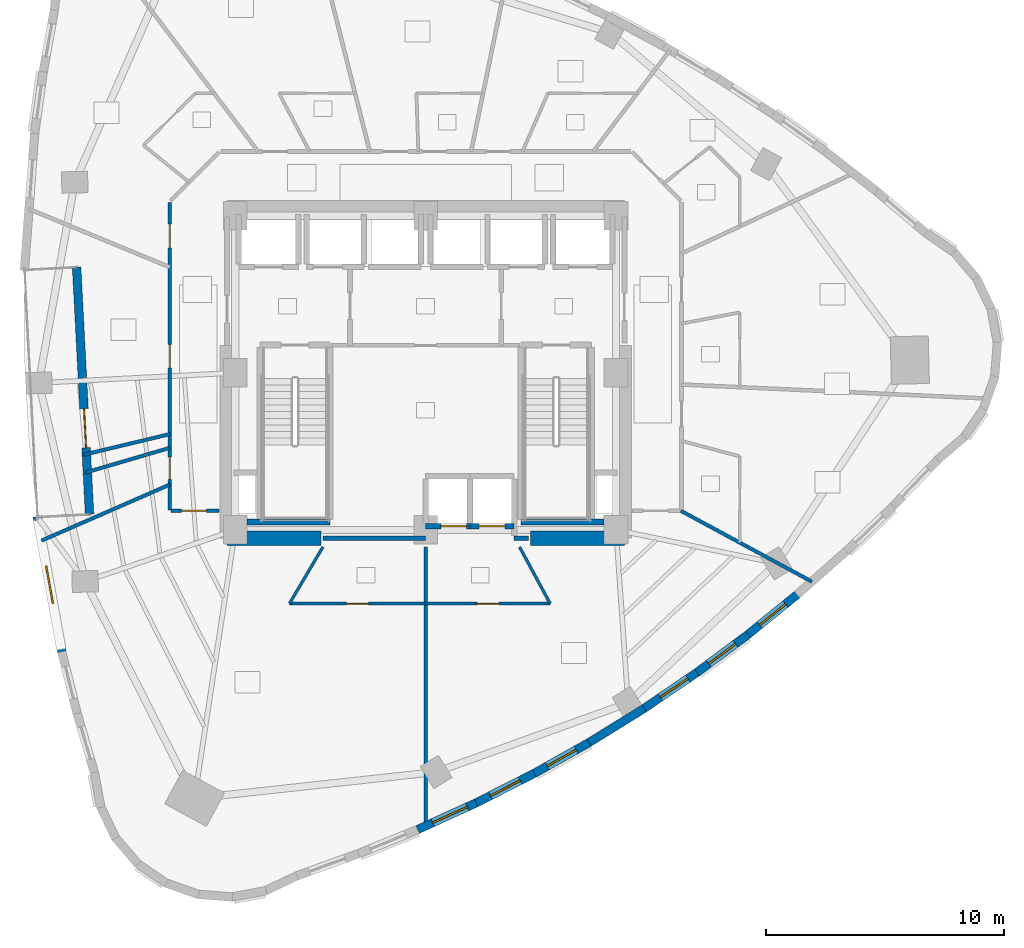
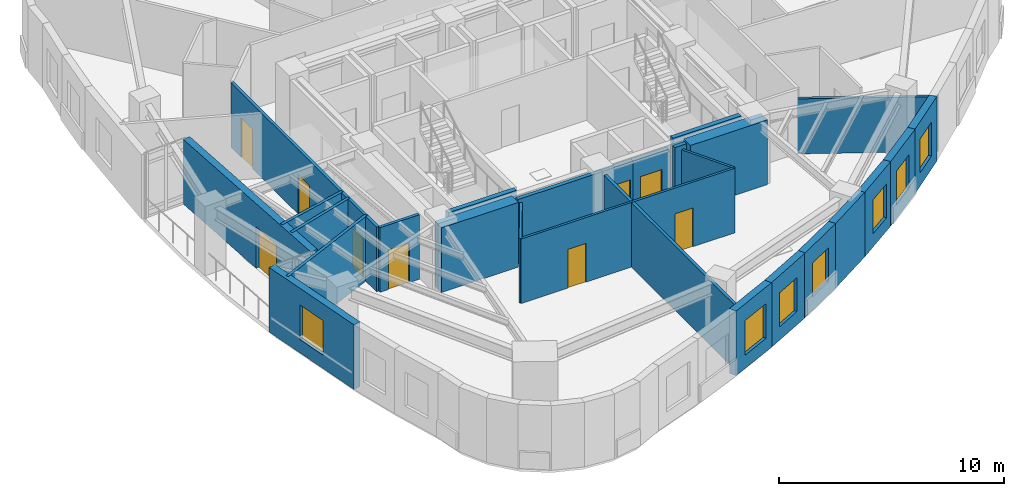
# One storey, part 5 of 12: 28 walls, 9 doors, 7 windows, 16 openings.
"""IFC4 building model written with IfcOpenShell, lengths in metres."""

from ifc_helpers import new_model, si_unit, direction, frame, frame_2d, origin, place, context, subcontext, project, spatial, rectangle, extrude, material, layer, layer_set, type_object, element, fill, save


model = new_model("IFC4")

# Units and contexts
model_context = context("Model", 3, precision=1e-05, world=origin(), true_north=direction((0.0, 1.0)))
body_context = subcontext(model_context, "Body", "Model", "MODEL_VIEW")
ifc_project = project(units=[si_unit("LENGTHUNIT", "METRE"), si_unit("AREAUNIT", "SQUARE_METRE"), si_unit("VOLUMEUNIT", "CUBIC_METRE"), si_unit("PLANEANGLEUNIT", "RADIAN"), si_unit("MASSUNIT", "GRAM", prefix="KILO")], contexts=[model_context])

# Site, building, storey
site_placement = place(None, origin())
site = spatial("IfcSite", under=ifc_project, at=site_placement, CompositionType="ELEMENT")
building_placement = place(site_placement, origin())
building = spatial("IfcBuilding", under=site, at=building_placement, Name="Ndelora Gate Hotel", CompositionType="ELEMENT")
storey_placement = place(building_placement, frame((0.0, 0.0, 131.0)))
storey = spatial("IfcBuildingStorey", under=building, at=storey_placement, Name="L32", CompositionType="ELEMENT", Elevation=131.0)

# Wall, opening, door
ifc_material_1 = material(Name="Clay Brick Masonry", Category="masonry")
ifc_layer_1 = layer(ifc_material_1, 0.360107421875)
ifc_layer_set_1 = layer_set([ifc_layer_1], Name="Clay Brick Masonry")
wall_type_1 = type_object("IfcWallType", Name="WL-BRICK-360", PredefinedType="SOLIDWALL", material=ifc_layer_set_1)
wall_1_placement = place(storey_placement, frame((-14.123779296875, -5.947265625, 0.0), z_axis=(0.0, 0.0, 1.0), x_axis=(-0.052325961458, 0.998630058509, 0.0)))
wall_1 = element("IfcWall", 1, at=wall_1_placement, inside=storey, type_object=wall_type_1, Name="L32 Sky-Garden Loggia Rear Brick Wall", PredefinedType="SOLIDWALL", context=body_context, shape_type="SweptSolid", body=[
    extrude(rectangle(XDim=10.39990234375, YDim=0.360107421875, at=frame_2d((5.199951171875, 0.0))), origin(), (0.0, 0.0, 1.0), 3.5),
])
opening_1_placement = place(wall_1_placement, frame((2.800048828125, 0.0, 0.0)))
opening_1 = element("IfcOpeningElement", 2, at=opening_1_placement, cuts=wall_1, Name="Opening TD1", PredefinedType="OPENING", context=body_context, shape_type="SweptSolid", body=[
    extrude(rectangle(XDim=1.64990234375, YDim=2.25, at=frame_2d((0.824951171875, 1.125))), frame((0.0, 0.18994140625, 0.0), z_axis=(0.0, -1.0, 0.0), x_axis=(1.0, 0.0, 0.0)), (0.0, 0.0, 1.0), 0.380126953125),
])
ifc_material_2 = material(Name="Architectural Bronze Glazed Door", Category="metal")
door_type_1 = type_object("IfcDoorType", Name="DR-TER-1650", OperationType="DOUBLE_DOOR_SINGLE_SWING", PredefinedType="DOOR", material=ifc_material_2)
door_1_placement = place(opening_1_placement, origin())
door_1 = element("IfcDoor", 3, at=door_1_placement, inside=storey, type_object=door_type_1, Name="L32 Sky-Garden Terrace Double Door TD1", OperationType="DOUBLE_DOOR_SINGLE_SWING", OverallHeight=2.25, OverallWidth=1.64990234375, PredefinedType="DOOR", context=body_context, shape_type="SweptSolid", body=[
    extrude(rectangle(XDim=1.64990234375, YDim=2.25, at=frame_2d((0.824951171875, 1.125))), frame((0.0, 0.02490234375, 0.0), z_axis=(0.0, -1.0, 0.0), x_axis=(1.0, 0.0, 0.0)), (0.0, 0.0, 1.0), 0.050048828125),
])
fill(opening_1, door_1)

# Wall, opening, window
wall_2_placement = place(storey_placement, frame((-15.283935546875, -11.77099609375, 0.0), z_axis=(0.0, 0.0, 1.0), x_axis=(-0.178697394158, 0.983904081362, 0.0)))
wall_2 = element("IfcWall", 4, at=wall_2_placement, inside=storey, type_object=wall_type_1, Name="L32 Tower Brick Pier-and-Spandrel Wall TWR-16", PredefinedType="SOLIDWALL", context=body_context, shape_type="SweptSolid", body=[
    extrude(rectangle(XDim=5.826904296875, YDim=0.360107421875, at=frame_2d((2.91357421875, 0.0))), origin(), (0.0, 0.0, 1.0), 3.5),
])
opening_2_placement = place(wall_2_placement, frame((2.11328125, 0.0, 0.719970703125)))
opening_2 = element("IfcOpeningElement", 5, at=opening_2_placement, cuts=wall_2, Name="Opening W01", PredefinedType="OPENING", context=body_context, shape_type="SweptSolid", body=[
    extrude(rectangle(XDim=1.60009765625, YDim=1.8798828125, at=frame_2d((0.800048828125, 0.93994140625))), frame((0.0, 0.18994140625, 0.0), z_axis=(0.0, -1.0, 0.0), x_axis=(1.0, 0.0, 0.0)), (0.0, 0.0, 1.0), 0.380126953125),
])
ifc_material_3 = material(Name="Insulated Low-E Double Glazing in Bronze Aluminium Frame", Category="aluminium")
window_type_1 = type_object("IfcWindowType", Name="WN-DEEP-1600", PartitioningType="SINGLE_PANEL", PredefinedType="WINDOW", material=ifc_material_3)
window_1_placement = place(opening_2_placement, origin())
window_1 = element("IfcWindow", 6, at=window_1_placement, inside=storey, type_object=window_type_1, Name="L32 Deep-Set Brick-Pier Window W01", OverallHeight=1.8798828125, OverallWidth=1.60009765625, PartitioningType="SINGLE_PANEL", PredefinedType="WINDOW", context=body_context, shape_type="SweptSolid", body=[
    extrude(rectangle(XDim=1.60009765625, YDim=1.8798828125, at=frame_2d((0.800048828125, 0.93994140625))), frame((0.0, 0.030029296875, 0.0), z_axis=(0.0, -1.0, 0.0), x_axis=(1.0, 0.0, 0.0)), (0.0, 0.0, 1.0), 0.06005859375),
])
fill(opening_2, window_1)

wall_3_placement = place(storey_placement, frame((2.169677734375, -18.052001953125, 0.0), z_axis=(0.0, 0.0, 1.0), x_axis=(-0.909692365211, -0.415282796028, 0.0)))
wall_3 = element("IfcWall", 7, at=wall_3_placement, inside=storey, type_object=wall_type_1, Name="L32 Tower Brick Pier-and-Spandrel Wall TWR-29", PredefinedType="SOLIDWALL", context=body_context, shape_type="SweptSolid", body=[
    extrude(rectangle(XDim=2.75830078125, YDim=0.360107421875, at=frame_2d((1.379150390625, 0.0))), origin(), (0.0, 0.0, 1.0), 3.5),
])
opening_3_placement = place(wall_3_placement, frame((0.4599609375, 0.0, 0.719970703125)))
opening_3 = element("IfcOpeningElement", 8, at=opening_3_placement, cuts=wall_3, Name="Opening W03", PredefinedType="OPENING", context=body_context, shape_type="SweptSolid", body=[
    extrude(rectangle(XDim=1.60009765625, YDim=1.8798828125, at=frame_2d((0.800048828125, 0.93994140625))), frame((0.0, 0.18994140625, 0.0), z_axis=(0.0, -1.0, 0.0), x_axis=(1.0, 0.0, 0.0)), (0.0, 0.0, 1.0), 0.380126953125),
])
window_type_2 = type_object("IfcWindowType", Name="WN-CORN-2100", PartitioningType="SINGLE_PANEL", PredefinedType="WINDOW", material=ifc_material_3)
window_2_placement = place(opening_3_placement, origin())
window_2 = element("IfcWindow", 9, at=window_2_placement, inside=storey, type_object=window_type_2, Name="L32 Deep-Set Brick-Pier Window W03", OverallHeight=1.8798828125, OverallWidth=1.60009765625, PartitioningType="SINGLE_PANEL", PredefinedType="WINDOW", context=body_context, shape_type="SweptSolid", body=[
    extrude(rectangle(XDim=1.60009765625, YDim=1.8798828125, at=frame_2d((0.800048828125, 0.93994140625))), frame((0.0, 0.030029296875, 0.0), z_axis=(0.0, -1.0, 0.0), x_axis=(1.0, 0.0, 0.0)), (0.0, 0.0, 1.0), 0.06005859375),
])
fill(opening_3, window_2)

wall_4_placement = place(storey_placement, frame((4.571044921875, -16.830810546875, 0.0), z_axis=(0.0, 0.0, 1.0), x_axis=(-0.891561759687, -0.452899137406, 0.0)))
wall_4 = element("IfcWall", 10, at=wall_4_placement, inside=storey, type_object=wall_type_1, Name="L32 Tower Brick Pier-and-Spandrel Wall TWR-30", PredefinedType="SOLIDWALL", context=body_context, shape_type="SweptSolid", body=[
    extrude(rectangle(XDim=2.743896484375, YDim=0.360107421875, at=frame_2d((1.3720703125, 0.0))), origin(), (0.0, 0.0, 1.0), 3.5),
])
opening_4_placement = place(wall_4_placement, frame((0.672119140625, 0.0, 0.719970703125)))
opening_4 = element("IfcOpeningElement", 11, at=opening_4_placement, cuts=wall_4, Name="Opening W02", PredefinedType="OPENING", context=body_context, shape_type="SweptSolid", body=[
    extrude(rectangle(XDim=1.39990234375, YDim=1.840087890625, at=frame_2d((0.699951171875, 0.919921875))), frame((0.0, 0.18994140625, 0.0), z_axis=(0.0, -1.0, 0.0), x_axis=(1.0, 0.0, 0.0)), (0.0, 0.0, 1.0), 0.380126953125),
])
window_type_3 = type_object("IfcWindowType", Name="WN-DEEP-1400", PartitioningType="SINGLE_PANEL", PredefinedType="WINDOW", material=ifc_material_3)
window_3_placement = place(opening_4_placement, origin())
window_3 = element("IfcWindow", 12, at=window_3_placement, inside=storey, type_object=window_type_3, Name="L32 Deep-Set Brick-Pier Window W02", OverallHeight=1.840087890625, OverallWidth=1.39990234375, PartitioningType="SINGLE_PANEL", PredefinedType="WINDOW", context=body_context, shape_type="SweptSolid", body=[
    extrude(rectangle(XDim=1.39990234375, YDim=1.840087890625, at=frame_2d((0.699951171875, 0.919921875))), frame((0.0, 0.030029296875, 0.0), z_axis=(0.0, -1.0, 0.0), x_axis=(1.0, 0.0, 0.0)), (0.0, 0.0, 1.0), 0.06005859375),
])
fill(opening_4, window_3)

wall_5_placement = place(storey_placement, frame((6.910400390625, -15.513916015625, 0.0), z_axis=(0.0, 0.0, 1.0), x_axis=(-0.871580305906, -0.490252761702, 0.0)))
wall_5 = element("IfcWall", 13, at=wall_5_placement, inside=storey, type_object=wall_type_1, Name="L32 Tower Brick Pier-and-Spandrel Wall TWR-31", PredefinedType="SOLIDWALL", context=body_context, shape_type="SweptSolid", body=[
    extrude(rectangle(XDim=2.734375, YDim=0.360107421875, at=frame_2d((1.3671875, 0.0))), origin(), (0.0, 0.0, 1.0), 3.5),
])
opening_5_placement = place(wall_5_placement, frame((0.667236328125, 0.0, 0.719970703125)))
opening_5 = element("IfcOpeningElement", 14, at=opening_5_placement, cuts=wall_5, Name="Opening W02", PredefinedType="OPENING", context=body_context, shape_type="SweptSolid", body=[
    extrude(rectangle(XDim=1.39990234375, YDim=1.840087890625, at=frame_2d((0.699951171875, 0.919921875))), frame((0.0, 0.18994140625, 0.0), z_axis=(0.0, -1.0, 0.0), x_axis=(1.0, 0.0, 0.0)), (0.0, 0.0, 1.0), 0.380126953125),
])
window_4_placement = place(opening_5_placement, origin())
window_4 = element("IfcWindow", 15, at=window_4_placement, inside=storey, type_object=window_type_3, Name="L32 Deep-Set Brick-Pier Window W02", OverallHeight=1.840087890625, OverallWidth=1.39990234375, PartitioningType="SINGLE_PANEL", PredefinedType="WINDOW", context=body_context, shape_type="SweptSolid", body=[
    extrude(rectangle(XDim=1.39990234375, YDim=1.840087890625, at=frame_2d((0.699951171875, 0.919921875))), frame((0.0, 0.030029296875, 0.0), z_axis=(0.0, -1.0, 0.0), x_axis=(1.0, 0.0, 0.0)), (0.0, 0.0, 1.0), 0.06005859375),
])
fill(opening_5, window_4)

# Wall
wall_6_placement = place(storey_placement, frame((9.187744140625, -14.101806640625, 0.0), z_axis=(0.0, 0.0, 1.0), x_axis=(-0.850066866235, -0.526674779091, 0.0)))
element("IfcWall", 16, at=wall_6_placement, inside=storey, type_object=wall_type_1, Name="L32 Tower Brick Pier-and-Spandrel Wall TWR-32", PredefinedType="SOLIDWALL", context=body_context, shape_type="SweptSolid", body=[
    extrude(rectangle(XDim=2.729736328125, YDim=0.360107421875, at=frame_2d((1.36474609375, 0.0))), origin(), (0.0, 0.0, 1.0), 3.5),
])

# Wall, opening, window
wall_7_placement = place(storey_placement, frame((11.40283203125, -12.593994140625, 0.0), z_axis=(0.0, 0.0, 1.0), x_axis=(-0.826868273885, -0.562395641557, 0.0)))
wall_7 = element("IfcWall", 17, at=wall_7_placement, inside=storey, type_object=wall_type_1, Name="L32 Tower Brick Pier-and-Spandrel Wall TWR-33", PredefinedType="SOLIDWALL", context=body_context, shape_type="SweptSolid", body=[
    extrude(rectangle(XDim=2.729736328125, YDim=0.360107421875, at=frame_2d((1.36474609375, 0.0))), origin(), (0.0, 0.0, 1.0), 3.5),
])
opening_6_placement = place(wall_7_placement, frame((0.4599609375, 0.0, 0.719970703125)))
opening_6 = element("IfcOpeningElement", 18, at=opening_6_placement, cuts=wall_7, Name="Opening W02", PredefinedType="OPENING", context=body_context, shape_type="SweptSolid", body=[
    extrude(rectangle(XDim=1.39990234375, YDim=1.840087890625, at=frame_2d((0.699951171875, 0.919921875))), frame((0.0, 0.18994140625, 0.0), z_axis=(0.0, -1.0, 0.0), x_axis=(1.0, 0.0, 0.0)), (0.0, 0.0, 1.0), 0.380126953125),
])
window_5_placement = place(opening_6_placement, origin())
window_5 = element("IfcWindow", 19, at=window_5_placement, inside=storey, type_object=window_type_3, Name="L32 Deep-Set Brick-Pier Window W02", OverallHeight=1.840087890625, OverallWidth=1.39990234375, PartitioningType="SINGLE_PANEL", PredefinedType="WINDOW", context=body_context, shape_type="SweptSolid", body=[
    extrude(rectangle(XDim=1.39990234375, YDim=1.840087890625, at=frame_2d((0.699951171875, 0.919921875))), frame((0.0, 0.030029296875, 0.0), z_axis=(0.0, -1.0, 0.0), x_axis=(1.0, 0.0, 0.0)), (0.0, 0.0, 1.0), 0.06005859375),
])
fill(opening_6, window_5)

wall_8_placement = place(storey_placement, frame((13.555908203125, -10.990966796875, 0.0), z_axis=(0.0, 0.0, 1.0), x_axis=(-0.802329676415, -0.596881135859, 0.0)))
wall_8 = element("IfcWall", 20, at=wall_8_placement, inside=storey, type_object=wall_type_1, Name="L32 Tower Brick Pier-and-Spandrel Wall TWR-34", PredefinedType="SOLIDWALL", context=body_context, shape_type="SweptSolid", body=[
    extrude(rectangle(XDim=2.734375, YDim=0.360107421875, at=frame_2d((1.3671875, 0.0))), origin(), (0.0, 0.0, 1.0), 3.5),
])
opening_7_placement = place(wall_8_placement, frame((0.667236328125, 0.0, 0.719970703125)))
opening_7 = element("IfcOpeningElement", 21, at=opening_7_placement, cuts=wall_8, Name="Opening W02", PredefinedType="OPENING", context=body_context, shape_type="SweptSolid", body=[
    extrude(rectangle(XDim=1.39990234375, YDim=1.840087890625, at=frame_2d((0.699951171875, 0.919921875))), frame((0.0, 0.18994140625, 0.0), z_axis=(0.0, -1.0, 0.0), x_axis=(1.0, 0.0, 0.0)), (0.0, 0.0, 1.0), 0.380126953125),
])
window_6_placement = place(opening_7_placement, origin())
window_6 = element("IfcWindow", 22, at=window_6_placement, inside=storey, type_object=window_type_3, Name="L32 Deep-Set Brick-Pier Window W02", OverallHeight=1.840087890625, OverallWidth=1.39990234375, PartitioningType="SINGLE_PANEL", PredefinedType="WINDOW", context=body_context, shape_type="SweptSolid", body=[
    extrude(rectangle(XDim=1.39990234375, YDim=1.840087890625, at=frame_2d((0.699951171875, 0.919921875))), frame((0.0, 0.030029296875, 0.0), z_axis=(0.0, -1.0, 0.0), x_axis=(1.0, 0.0, 0.0)), (0.0, 0.0, 1.0), 0.06005859375),
])
fill(opening_7, window_6)

wall_9_placement = place(storey_placement, frame((15.64697265625, -9.292236328125, 0.0), z_axis=(0.0, 0.0, 1.0), x_axis=(-0.776448630517, -0.630180548866, 0.0)))
wall_9 = element("IfcWall", 23, at=wall_9_placement, inside=storey, type_object=wall_type_1, Name="L32 Tower Brick Pier-and-Spandrel Wall TWR-35", PredefinedType="SOLIDWALL", context=body_context, shape_type="SweptSolid", body=[
    extrude(rectangle(XDim=2.744140625, YDim=0.360107421875, at=frame_2d((1.3720703125, 0.0))), origin(), (0.0, 0.0, 1.0), 3.5),
])
opening_8_placement = place(wall_9_placement, frame((0.672119140625, 0.0, 0.719970703125)))
opening_8 = element("IfcOpeningElement", 24, at=opening_8_placement, cuts=wall_9, Name="Opening W02", PredefinedType="OPENING", context=body_context, shape_type="SweptSolid", body=[
    extrude(rectangle(XDim=1.39990234375, YDim=1.840087890625, at=frame_2d((0.699951171875, 0.919921875))), frame((0.0, 0.18994140625, 0.0), z_axis=(0.0, -1.0, 0.0), x_axis=(1.0, 0.0, 0.0)), (0.0, 0.0, 1.0), 0.380126953125),
])
window_7_placement = place(opening_8_placement, origin())
window_7 = element("IfcWindow", 25, at=window_7_placement, inside=storey, type_object=window_type_3, Name="L32 Deep-Set Brick-Pier Window W02", OverallHeight=1.840087890625, OverallWidth=1.39990234375, PartitioningType="SINGLE_PANEL", PredefinedType="WINDOW", context=body_context, shape_type="SweptSolid", body=[
    extrude(rectangle(XDim=1.39990234375, YDim=1.840087890625, at=frame_2d((0.699951171875, 0.919921875))), frame((0.0, 0.030029296875, 0.0), z_axis=(0.0, -1.0, 0.0), x_axis=(1.0, 0.0, 0.0)), (0.0, 0.0, 1.0), 0.06005859375),
])
fill(opening_8, window_7)

# Walls
ifc_material_4 = material(Name="Concrete C60/75", Category="concrete")
ifc_layer_2 = layer(ifc_material_4, 0.60009765625)
ifc_layer_set_2 = layer_set([ifc_layer_2], Name="Concrete C60/75")
wall_type_2 = type_object("IfcWallType", Name="WL-CORE-600", PredefinedType="SHEAR", material=ifc_layer_set_2)
for number, where, z_axis, x_axis, name in (
    (26, (-8.35009765625, -6.949951171875, 0.0), (0.0, 0.0, 1.0), (1.0, 0.0, 0.0), "L32 Core Shear Wall S-W"),
    (27, (4.39990234375, -6.949951171875, 0.0), (0.0, 0.0, 1.0), (1.0, 0.0, 0.0), "L32 Core Shear Wall S-E"),
):
    element("IfcWall", number, at=place(storey_placement, frame(where, z_axis=z_axis, x_axis=x_axis)), inside=storey, type_object=wall_type_2, Name=name, PredefinedType="SHEAR", context=body_context, shape_type="SweptSolid", body=[
        extrude(rectangle(XDim=3.9501953125, YDim=0.60009765625, at=frame_2d((1.97509765625, 0.0))), origin(), (0.0, 0.0, 1.0), 3.5),
    ])
ifc_material_5 = material(Name="Concrete C40/50", Category="concrete")
ifc_layer_3 = layer(ifc_material_5, 0.199951171875)
ifc_layer_set_3 = layer_set([ifc_layer_3], Name="Concrete C40/50")
wall_type_3 = type_object("IfcWallType", Name="WL-FIRE-200", PredefinedType="PARTITIONING", material=ifc_layer_set_3)
wall_10_placement = place(storey_placement, frame((-4.320068359375, -6.949951171875, 0.0), z_axis=(0.0, 0.0, 1.0), x_axis=(1.0, 0.0, 0.0)))
element("IfcWall", 28, at=wall_10_placement, inside=storey, type_object=wall_type_3, Name="L32 Interior Wall IW-2", PredefinedType="PARTITIONING", context=body_context, shape_type="SweptSolid", body=[
    extrude(rectangle(XDim=4.320068359375, YDim=0.199951171875, at=frame_2d((2.16015625, 0.0))), origin(), (0.0, 0.0, 1.0), 3.5),
])
wall_11_placement = place(storey_placement, frame((3.719970703125, -6.949951171875, 0.0), z_axis=(0.0, 0.0, 1.0), x_axis=(1.0, 0.0, 0.0)))
element("IfcWall", 29, at=wall_11_placement, inside=storey, type_object=wall_type_3, Name="L32 Interior Wall IW-2", PredefinedType="PARTITIONING", context=body_context, shape_type="SweptSolid", body=[
    extrude(rectangle(XDim=0.60009765625, YDim=0.199951171875, at=frame_2d((0.300048828125, 0.0))), origin(), (0.0, 0.0, 1.0), 3.5),
])

# Wall, opening, door
ifc_material_6 = material(Name="Fire-Rated Gypsum Stud Partition", Category="gypsum")
ifc_layer_4 = layer(ifc_material_6, 0.14990234375)
ifc_layer_set_4 = layer_set([ifc_layer_4], Name="Fire-Rated Gypsum Stud Partition")
wall_type_4 = type_object("IfcWallType", Name="WL-PART-150", PredefinedType="PARTITIONING", material=ifc_layer_set_4)
wall_12_placement = place(storey_placement, frame((-8.68994140625, -5.800048828125, 0.0), z_axis=(0.0, 0.0, 1.0), x_axis=(-1.0, 0.0, 0.0)))
wall_12 = element("IfcWall", 30, at=wall_12_placement, inside=storey, type_object=wall_type_4, Name="L32 Interior Wall IW-5", PredefinedType="PARTITIONING", context=body_context, shape_type="SweptSolid", body=[
    extrude(rectangle(XDim=2.02001953125, YDim=0.14990234375, at=frame_2d((1.010009765625, 0.0))), origin(), (0.0, 0.0, 1.0), 3.5),
])
opening_9_placement = place(wall_12_placement, frame((0.52001953125, 0.0, 0.0)))
opening_9 = element("IfcOpeningElement", 31, at=opening_9_placement, cuts=wall_12, Name="Opening D07", PredefinedType="OPENING", context=body_context, shape_type="SweptSolid", body=[
    extrude(rectangle(XDim=1.06005859375, YDim=2.14990234375, at=frame_2d((0.530029296875, 1.074951171875))), frame((0.0, 0.0849609375, 0.0), z_axis=(0.0, -1.0, 0.0), x_axis=(1.0, 0.0, 0.0)), (0.0, 0.0, 1.0), 0.169921875),
])
ifc_material_7 = material(Name="Diplomatic Suite Acoustic Entrance Door", Category="wood")
door_type_2 = type_object("IfcDoorType", Name="DR-SUITE-1060", OperationType="SINGLE_SWING_LEFT", PredefinedType="DOOR", material=ifc_material_7)
door_2_placement = place(opening_9_placement, origin())
door_2 = element("IfcDoor", 32, at=door_2_placement, inside=storey, type_object=door_type_2, Name="L32 Club Twin Corner Suite 3501 Entrance Door", OperationType="SINGLE_SWING_RIGHT", OverallHeight=2.14990234375, OverallWidth=1.06005859375, PredefinedType="DOOR", context=body_context, shape_type="SweptSolid", body=[
    extrude(rectangle(XDim=1.06005859375, YDim=2.14990234375, at=frame_2d((0.530029296875, 1.074951171875))), frame((0.0, 0.02490234375, 0.0), z_axis=(0.0, -1.0, 0.0), x_axis=(1.0, 0.0, 0.0)), (0.0, 0.0, 1.0), 0.050048828125),
])
fill(opening_9, door_2)

# Wall, openings, doors
wall_13_placement = place(storey_placement, frame((-10.75, -5.760009765625, 0.0), z_axis=(0.0, 0.0, 1.0), x_axis=(0.0, 1.0, 0.0)))
wall_13 = element("IfcWall", 33, at=wall_13_placement, inside=storey, type_object=wall_type_4, Name="L32 Interior Wall IW-5", PredefinedType="PARTITIONING", context=body_context, shape_type="SweptSolid", body=[
    extrude(rectangle(XDim=12.919921875, YDim=0.14990234375, at=frame_2d((6.4599609375, 0.0))), origin(), (0.0, 0.0, 1.0), 3.5),
])
opening_10_placement = place(wall_13_placement, frame((1.280029296875, 0.0, 0.0)))
opening_10 = element("IfcOpeningElement", 34, at=opening_10_placement, cuts=wall_13, Name="Opening D05", PredefinedType="OPENING", context=body_context, shape_type="SweptSolid", body=[
    extrude(rectangle(XDim=0.949951171875, YDim=2.10009765625, at=frame_2d((0.47509765625, 1.050048828125))), frame((0.0, 0.0849609375, 0.0), z_axis=(0.0, -1.0, 0.0), x_axis=(1.0, 0.0, 0.0)), (0.0, 0.0, 1.0), 0.169921875),
])
opening_11_placement = place(wall_13_placement, frame((5.95556640625, 0.0, 0.0)))
opening_11 = element("IfcOpeningElement", 35, at=opening_11_placement, cuts=wall_13, Name="Opening D01", PredefinedType="OPENING", context=body_context, shape_type="SweptSolid", body=[
    extrude(rectangle(XDim=1.0, YDim=2.14990234375, at=frame_2d((0.5, 1.074951171875))), frame((0.0, 0.0849609375, 0.0), z_axis=(0.0, -1.0, 0.0), x_axis=(1.0, 0.0, 0.0)), (0.0, 0.0, 1.0), 0.169921875),
])
opening_12_placement = place(wall_13_placement, frame((11.0087890625, 0.0, 0.0)))
opening_12 = element("IfcOpeningElement", 36, at=opening_12_placement, cuts=wall_13, Name="Opening D01", PredefinedType="OPENING", context=body_context, shape_type="SweptSolid", body=[
    extrude(rectangle(XDim=1.0, YDim=2.14990234375, at=frame_2d((0.5, 1.074951171875))), frame((0.0, 0.0849609375, 0.0), z_axis=(0.0, -1.0, 0.0), x_axis=(1.0, 0.0, 0.0)), (0.0, 0.0, 1.0), 0.169921875),
])
ifc_material_8 = material(Name="Accessible Restroom Wide-Clearance Door", Category="wood")
door_type_3 = type_object("IfcDoorType", Name="DR-ACC-950", OperationType="SINGLE_SWING_LEFT", PredefinedType="DOOR", material=ifc_material_8)
door_3_placement = place(opening_10_placement, origin())
door_3 = element("IfcDoor", 37, at=door_3_placement, inside=storey, type_object=door_type_3, Name="L32 Accessible WC Entrance Door", OperationType="SINGLE_SWING_RIGHT", OverallHeight=2.10009765625, OverallWidth=0.949951171875, PredefinedType="DOOR", context=body_context, shape_type="SweptSolid", body=[
    extrude(rectangle(XDim=0.949951171875, YDim=2.10009765625, at=frame_2d((0.47509765625, 1.050048828125))), frame((0.0, 0.02490234375, 0.0), z_axis=(0.0, -1.0, 0.0), x_axis=(1.0, 0.0, 0.0)), (0.0, 0.0, 1.0), 0.050048828125),
])
fill(opening_10, door_3)
ifc_material_9 = material(Name="Acoustic Hardwood Guest Entrance Door", Category="wood")
door_type_4 = type_object("IfcDoorType", Name="DR-COR-1000", OperationType="SINGLE_SWING_LEFT", PredefinedType="DOOR", material=ifc_material_9)
door_4_placement = place(opening_11_placement, origin())
door_4 = element("IfcDoor", 38, at=door_4_placement, inside=storey, type_object=door_type_4, Name="L32 Sky Garden Tea Dining Room Entrance Door", OperationType="SINGLE_SWING_LEFT", OverallHeight=2.14990234375, OverallWidth=1.0, PredefinedType="DOOR", context=body_context, shape_type="SweptSolid", body=[
    extrude(rectangle(XDim=1.0, YDim=2.14990234375, at=frame_2d((0.5, 1.074951171875))), frame((0.0, 0.02490234375, 0.0), z_axis=(0.0, -1.0, 0.0), x_axis=(1.0, 0.0, 0.0)), (0.0, 0.0, 1.0), 0.050048828125),
])
fill(opening_11, door_4)
door_5_placement = place(opening_12_placement, origin())
door_5 = element("IfcDoor", 39, at=door_5_placement, inside=storey, type_object=door_type_4, Name="L32 Club Deluxe Guest Room 3509 Entrance Door", OperationType="SINGLE_SWING_RIGHT", OverallHeight=2.14990234375, OverallWidth=1.0, PredefinedType="DOOR", context=body_context, shape_type="SweptSolid", body=[
    extrude(rectangle(XDim=1.0, YDim=2.14990234375, at=frame_2d((0.5, 1.074951171875))), frame((0.0, 0.02490234375, 0.0), z_axis=(0.0, -1.0, 0.0), x_axis=(1.0, 0.0, 0.0)), (0.0, 0.0, 1.0), 0.050048828125),
])
fill(opening_12, door_5)

# Walls
wall_14_placement = place(storey_placement, frame((-10.75, -4.696533203125, 0.0), z_axis=(0.0, 0.0, 1.0), x_axis=(-0.916368645406, -0.400335491452, 0.0)))
element("IfcWall", 40, at=wall_14_placement, inside=storey, type_object=wall_type_4, Name="L32 Interior Wall IW-5", PredefinedType="PARTITIONING", context=body_context, shape_type="SweptSolid", body=[
    extrude(rectangle(XDim=5.883056640625, YDim=0.14990234375, at=frame_2d((2.94140625, 0.0))), origin(), (0.0, 0.0, 1.0), 3.5),
])
wall_15_placement = place(storey_placement, frame((0.0, -7.320068359375, 0.0), z_axis=(0.0, 0.0, 1.0), x_axis=(0.0, -1.0, 0.0)))
element("IfcWall", 41, at=wall_15_placement, inside=storey, type_object=wall_type_4, Name="L32 Interior Wall IW-5", PredefinedType="PARTITIONING", context=body_context, shape_type="SweptSolid", body=[
    extrude(rectangle(XDim=11.722412109375, YDim=0.14990234375, at=frame_2d((5.861328125, 0.0))), origin(), (0.0, 0.0, 1.0), 3.5),
])
wall_16_placement = place(storey_placement, frame((10.726806640625, -5.800048828125, 0.0), z_axis=(0.0, 0.0, 1.0), x_axis=(0.879646503143, -0.475628036924, 0.0)))
element("IfcWall", 42, at=wall_16_placement, inside=storey, type_object=wall_type_4, Name="L32 Interior Wall IW-5", PredefinedType="PARTITIONING", context=body_context, shape_type="SweptSolid", body=[
    extrude(rectangle(XDim=6.256103515625, YDim=0.14990234375, at=frame_2d((3.1279296875, 0.0))), origin(), (0.0, 0.0, 1.0), 2.97998046875),
])
wall_17_placement = place(storey_placement, frame((-10.75, -3.15283203125, 0.0), z_axis=(0.0, 0.0, 1.0), x_axis=(-0.959579233132, -0.281438617362, 0.0)))
element("IfcWall", 43, at=wall_17_placement, inside=storey, type_object=wall_type_4, Name="L32 Interior Wall IW-5", PredefinedType="PARTITIONING", context=body_context, shape_type="SweptSolid", body=[
    extrude(rectangle(XDim=3.687744140625, YDim=0.14990234375, at=frame_2d((1.84375, 0.0))), origin(), (0.0, 0.0, 1.0), 3.5),
])
wall_18_placement = place(storey_placement, frame((-10.75, -2.575439453125, 0.0), z_axis=(0.0, 0.0, 1.0), x_axis=(-0.972472035097, -0.233019614958, 0.0)))
element("IfcWall", 44, at=wall_18_placement, inside=storey, type_object=wall_type_4, Name="L32 Interior Wall IW-5", PredefinedType="PARTITIONING", context=body_context, shape_type="SweptSolid", body=[
    extrude(rectangle(XDim=3.7109375, YDim=0.14990234375, at=frame_2d((1.85546875, 0.0))), origin(), (0.0, 0.0, 1.0), 3.5),
])

# Wall, opening, door
ifc_layer_5 = layer(ifc_material_5, 0.219970703125)
ifc_layer_set_5 = layer_set([ifc_layer_5], Name="Concrete C40/50")
wall_type_5 = type_object("IfcWallType", Name="WL-SHAFT-220", PredefinedType="PARTITIONING", material=ifc_layer_set_5)
wall_19_placement = place(storey_placement, frame((0.0, -6.449951171875, 0.0), z_axis=(0.0, 0.0, 1.0), x_axis=(1.0, 0.0, 0.0)))
wall_19 = element("IfcWall", 45, at=wall_19_placement, inside=storey, type_object=wall_type_5, Name="L32 Interior Wall IW-1", PredefinedType="PARTITIONING", context=body_context, shape_type="SweptSolid", body=[
    extrude(rectangle(XDim=1.860107421875, YDim=0.219970703125, at=frame_2d((0.93017578125, 0.0))), origin(), (0.0, 0.0, 1.0), 3.1201171875),
])
opening_13_placement = place(wall_19_placement, frame((0.639892578125, 0.0, 0.0)))
opening_13 = element("IfcOpeningElement", 46, at=opening_13_placement, cuts=wall_19, Name="Opening LD2", PredefinedType="OPENING", context=body_context, shape_type="SweptSolid", body=[
    extrude(rectangle(XDim=1.080078125, YDim=2.14990234375, at=frame_2d((0.5400390625, 1.074951171875))), frame((0.0, 0.1201171875, 0.0), z_axis=(0.0, -1.0, 0.0), x_axis=(1.0, 0.0, 0.0)), (0.0, 0.0, 1.0), 0.239990234375),
])
ifc_material_10 = material(Name="Brushed Bronze Stainless Lift Landing Door", Category="metal")
door_type_5 = type_object("IfcDoorType", Name="DR-LD2", OperationType="DOUBLE_DOOR_SLIDING", PredefinedType="DOOR", material=ifc_material_10)
door_6_placement = place(opening_13_placement, origin())
door_6 = element("IfcDoor", 47, at=door_6_placement, inside=storey, type_object=door_type_5, Name="L32 Lift Landing Sliding Door P2A", OperationType="DOUBLE_DOOR_SLIDING", OverallHeight=2.14990234375, OverallWidth=1.080078125, PredefinedType="DOOR", context=body_context, shape_type="SweptSolid", body=[
    extrude(rectangle(XDim=1.080078125, YDim=2.14990234375, at=frame_2d((0.5400390625, 1.074951171875))), frame((0.0, 0.02490234375, 0.0), z_axis=(0.0, -1.0, 0.0), x_axis=(1.0, 0.0, 0.0)), (0.0, 0.0, 1.0), 0.050048828125),
])
fill(opening_13, door_6)

wall_20_placement = place(storey_placement, frame((1.860107421875, -6.449951171875, 0.0), z_axis=(0.0, 0.0, 1.0), x_axis=(1.0, 0.0, 0.0)))
wall_20 = element("IfcWall", 48, at=wall_20_placement, inside=storey, type_object=wall_type_5, Name="L32 Interior Wall IW-1", PredefinedType="PARTITIONING", context=body_context, shape_type="SweptSolid", body=[
    extrude(rectangle(XDim=1.85986328125, YDim=0.219970703125, at=frame_2d((0.929931640625, 0.0))), origin(), (0.0, 0.0, 1.0), 3.1201171875),
])
opening_14_placement = place(wall_20_placement, frame((0.389892578125, 0.0, 0.0)))
opening_14 = element("IfcOpeningElement", 49, at=opening_14_placement, cuts=wall_20, Name="Opening LD2", PredefinedType="OPENING", context=body_context, shape_type="SweptSolid", body=[
    extrude(rectangle(XDim=1.080078125, YDim=2.14990234375, at=frame_2d((0.5400390625, 1.074951171875))), frame((0.0, 0.1201171875, 0.0), z_axis=(0.0, -1.0, 0.0), x_axis=(1.0, 0.0, 0.0)), (0.0, 0.0, 1.0), 0.239990234375),
])
door_7_placement = place(opening_14_placement, origin())
door_7 = element("IfcDoor", 50, at=door_7_placement, inside=storey, type_object=door_type_5, Name="L32 Lift Landing Sliding Door P2B", OperationType="DOUBLE_DOOR_SLIDING", OverallHeight=2.14990234375, OverallWidth=1.080078125, PredefinedType="DOOR", context=body_context, shape_type="SweptSolid", body=[
    extrude(rectangle(XDim=1.080078125, YDim=2.14990234375, at=frame_2d((0.5400390625, 1.074951171875))), frame((0.0, 0.02490234375, 0.0), z_axis=(0.0, -1.0, 0.0), x_axis=(1.0, 0.0, 0.0)), (0.0, 0.0, 1.0), 0.050048828125),
])
fill(opening_14, door_7)

# Walls
ifc_material_11 = material(Name="Concrete C50/60", Category="concrete")
ifc_layer_6 = layer(ifc_material_11, 0.239990234375)
ifc_layer_set_6 = layer_set([ifc_layer_6], Name="Concrete C50/60")
wall_type_6 = type_object("IfcWallType", Name="WL-STAIR-240", PredefinedType="SHEAR", material=ifc_layer_set_6)
for number, where, z_axis, x_axis, name in (
    (51, (-7.5, -6.27001953125, 0.0), (0.0, 0.0, 1.0), (1.0, 0.0, 0.0), "L32 Stair Core Shear Wall SW-ST"),
    (52, (4.010009765625, -6.27001953125, 0.0), (0.0, 0.0, 1.0), (1.0, 0.0, 0.0), "L32 Stair Core Shear Wall SW-ST"),
):
    element("IfcWall", number, at=place(storey_placement, frame(where, z_axis=z_axis, x_axis=x_axis)), inside=storey, type_object=wall_type_6, Name=name, PredefinedType="SHEAR", context=body_context, shape_type="SweptSolid", body=[
        extrude(rectangle(XDim=3.489990234375, YDim=0.239990234375, at=frame_2d((1.7451171875, 0.0))), origin(), (0.0, 0.0, 1.0), 3.5),
    ])

# Wall, opening, door
ifc_material_12 = material(Name="Moisture-Resistant Bathroom Tile Partition", Category="gypsum")
ifc_layer_7 = layer(ifc_material_12, 0.1201171875)
ifc_layer_set_7 = layer_set([ifc_layer_7], Name="Moisture-Resistant Bathroom Tile Partition")
wall_type_7 = type_object("IfcWallType", Name="WL-WET-120", PredefinedType="PARTITIONING", material=ifc_layer_set_7)
wall_21_placement = place(storey_placement, frame((0.0, -9.699951171875, 0.0), z_axis=(0.0, 0.0, 1.0), x_axis=(-1.0, 0.0, 0.0)))
wall_21 = element("IfcWall", 53, at=wall_21_placement, inside=storey, type_object=wall_type_7, Name="L32 Interior Wall IW-7", PredefinedType="PARTITIONING", context=body_context, shape_type="SweptSolid", body=[
    extrude(rectangle(XDim=5.723876953125, YDim=0.1201171875, at=frame_2d((2.86181640625, 0.0))), origin(), (0.0, 0.0, 1.0), 3.5),
])
opening_15_placement = place(wall_21_placement, frame((2.40185546875, 0.0, 0.0)))
opening_15 = element("IfcOpeningElement", 54, at=opening_15_placement, cuts=wall_21, Name="Opening D03", PredefinedType="OPENING", context=body_context, shape_type="SweptSolid", body=[
    extrude(rectangle(XDim=0.919921875, YDim=2.10009765625, at=frame_2d((0.4599609375, 1.050048828125))), frame((0.0, 0.070068359375, 0.0), z_axis=(0.0, -1.0, 0.0), x_axis=(1.0, 0.0, 0.0)), (0.0, 0.0, 1.0), 0.14013671875),
])
ifc_material_13 = material(Name="Moisture-Resistant Hardwood En-Suite Door", Category="wood")
door_type_6 = type_object("IfcDoorType", Name="DR-BATH-920", OperationType="SINGLE_SWING_LEFT", PredefinedType="DOOR", material=ifc_material_13)
door_8_placement = place(opening_15_placement, origin())
door_8 = element("IfcDoor", 55, at=door_8_placement, inside=storey, type_object=door_type_6, Name="L32 En-suite Bathroom 3501 Door", OperationType="SINGLE_SWING_RIGHT", OverallHeight=2.10009765625, OverallWidth=0.919921875, PredefinedType="DOOR", context=body_context, shape_type="SweptSolid", body=[
    extrude(rectangle(XDim=0.919921875, YDim=2.10009765625, at=frame_2d((0.4599609375, 1.050048828125))), frame((0.0, 0.02490234375, 0.0), z_axis=(0.0, -1.0, 0.0), x_axis=(1.0, 0.0, 0.0)), (0.0, 0.0, 1.0), 0.050048828125),
])
fill(opening_15, door_8)

# Walls
wall_22_placement = place(storey_placement, frame((-4.3193359375, -7.320068359375, 0.0), z_axis=(0.0, 0.0, 1.0), x_axis=(-0.508258955423, -0.861204292971, 0.0)))
element("IfcWall", 56, at=wall_22_placement, inside=storey, type_object=wall_type_7, Name="L32 Interior Wall IW-7", PredefinedType="PARTITIONING", context=body_context, shape_type="SweptSolid", body=[
    extrude(rectangle(XDim=2.763427734375, YDim=0.1201171875, at=frame_2d((1.3818359375, 0.0))), origin(), (0.0, 0.0, 1.0), 3.5),
])
wall_23_placement = place(storey_placement, frame((3.947265625, -7.320068359375, 0.0), z_axis=(0.0, 0.0, 1.0), x_axis=(0.474665085806, -0.880166493521, 0.0)))
element("IfcWall", 57, at=wall_23_placement, inside=storey, type_object=wall_type_7, Name="L32 Interior Wall IW-7", PredefinedType="PARTITIONING", context=body_context, shape_type="SweptSolid", body=[
    extrude(rectangle(XDim=2.703857421875, YDim=0.1201171875, at=frame_2d((1.35205078125, 0.0))), origin(), (0.0, 0.0, 1.0), 3.5),
])

# Wall, opening, door
wall_24_placement = place(storey_placement, frame((5.230712890625, -9.699951171875, 0.0), z_axis=(0.0, 0.0, 1.0), x_axis=(-1.0, 0.0, 0.0)))
wall_24 = element("IfcWall", 58, at=wall_24_placement, inside=storey, type_object=wall_type_7, Name="L32 Interior Wall IW-7", PredefinedType="PARTITIONING", context=body_context, shape_type="SweptSolid", body=[
    extrude(rectangle(XDim=5.230712890625, YDim=0.1201171875, at=frame_2d((2.615234375, 0.0))), origin(), (0.0, 0.0, 1.0), 3.5),
])
opening_16_placement = place(wall_24_placement, frame((2.155517578125, 0.0, 0.0)))
opening_16 = element("IfcOpeningElement", 59, at=opening_16_placement, cuts=wall_24, Name="Opening D03", PredefinedType="OPENING", context=body_context, shape_type="SweptSolid", body=[
    extrude(rectangle(XDim=0.919921875, YDim=2.10009765625, at=frame_2d((0.4599609375, 1.050048828125))), frame((0.0, 0.070068359375, 0.0), z_axis=(0.0, -1.0, 0.0), x_axis=(1.0, 0.0, 0.0)), (0.0, 0.0, 1.0), 0.14013671875),
])
door_9_placement = place(opening_16_placement, origin())
door_9 = element("IfcDoor", 60, at=door_9_placement, inside=storey, type_object=door_type_6, Name="L32 En-suite Bathroom 3502 Door", OperationType="SINGLE_SWING_LEFT", OverallHeight=2.10009765625, OverallWidth=0.919921875, PredefinedType="DOOR", context=body_context, shape_type="SweptSolid", body=[
    extrude(rectangle(XDim=0.919921875, YDim=2.10009765625, at=frame_2d((0.4599609375, 1.050048828125))), frame((0.0, 0.02490234375, 0.0), z_axis=(0.0, -1.0, 0.0), x_axis=(1.0, 0.0, 0.0)), (0.0, 0.0, 1.0), 0.050048828125),
])
fill(opening_16, door_9)

save(model, "model.ifc")
